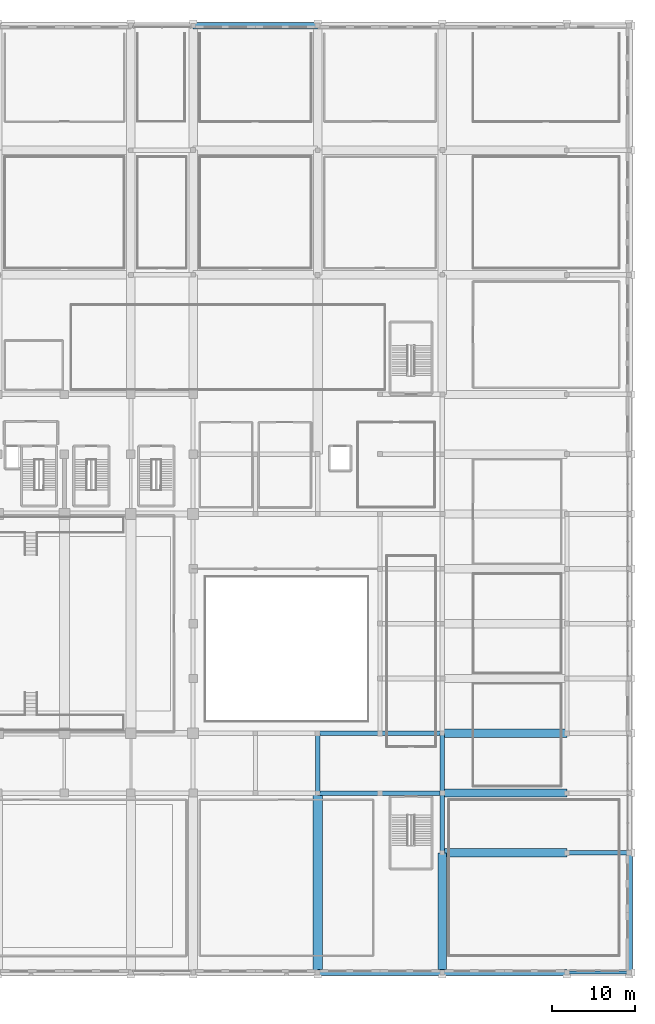
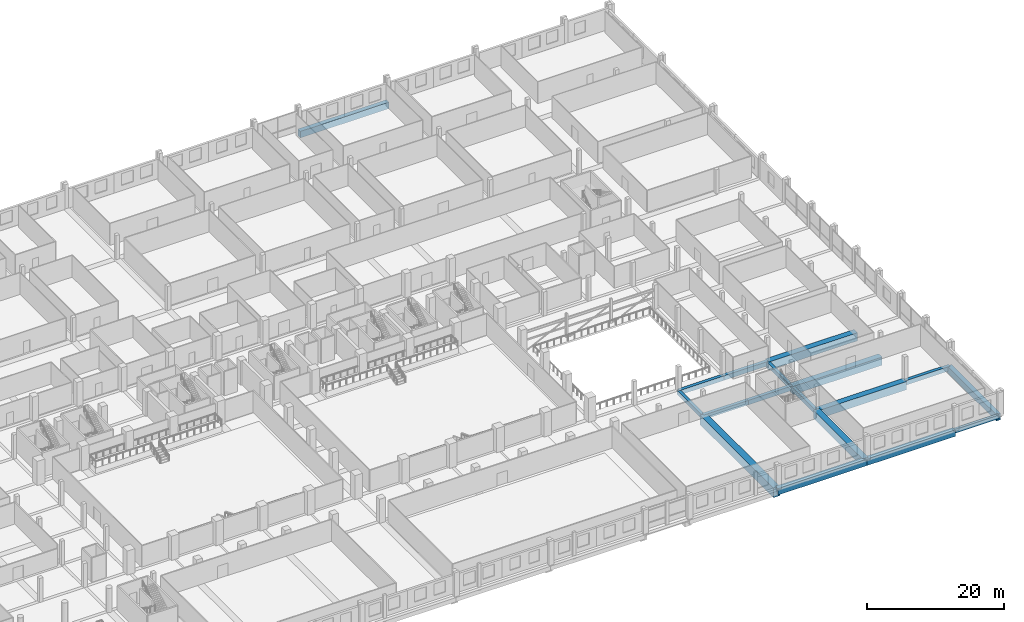
# One storey, part 33 of 68: 18 beams.
"""IFC4 building model written with IfcOpenShell, lengths in metres."""

from ifc_helpers import new_model, si_unit, direction, frame, origin, origin_2d, place, context, subcontext, project, spatial, rectangle, extrude, material, material_profile, profile_set, type_object, element, save


model = new_model("IFC4")

# Units and contexts
model_context = context("Model", 3, precision=1e-05, world=origin(), true_north=direction((0.0, 1.0)))
body_context = subcontext(model_context, "Body", "Model", "MODEL_VIEW")
ifc_project = project(units=[si_unit("LENGTHUNIT", "METRE"), si_unit("AREAUNIT", "SQUARE_METRE"), si_unit("VOLUMEUNIT", "CUBIC_METRE"), si_unit("PLANEANGLEUNIT", "RADIAN"), si_unit("MASSUNIT", "GRAM", prefix="KILO")], contexts=[model_context])

# Site, building, storey
site_placement = place(None, origin())
site = spatial("IfcSite", under=ifc_project, at=site_placement, CompositionType="ELEMENT")
building_placement = place(site_placement, origin())
building = spatial("IfcBuilding", under=site, at=building_placement, Name="Akrevak Sports Hall", CompositionType="ELEMENT")
storey_placement = place(building_placement, frame((0.0, 0.0, 9.39990234375)))
storey = spatial("IfcBuildingStorey", under=building, at=storey_placement, Name="L02", CompositionType="ELEMENT", Elevation=9.39990234375)

# Beams
ifc_material_1 = material(Name="Concrete C50/60", Category="concrete")
ifc_material_profile_1 = material_profile(ifc_material_1, rectangle(XDim=1.0, YDim=1.449951171875, at=origin_2d()), Name="BM 1000x1450", Category="concrete")
ifc_profile_set_1 = profile_set([ifc_material_profile_1], Name="Concrete C50/60")
beam_type_1 = type_object("IfcBeamType", Name="STR-BM-LG1000x1450", PredefinedType="BEAM", material=ifc_profile_set_1)
for number, where, z_axis, x_axis, name in (
    (1, (145.5, 14.39990234375, -0.724853515625), (1.0, 0.0, 0.0), (0.0, 1.0, 0.0), "Girder C/20-22 (L02)"),
    (2, (145.5, 21.60009765625, -0.724853515625), (1.0, 0.0, 0.0), (0.0, 1.0, 0.0), "Girder D/20-22 (L02)"),
    (3, (145.5, 28.800048828125, -0.724853515625), (1.0, 0.0, 0.0), (0.0, 1.0, 0.0), "Girder E/20-22 (L02)"),
):
    element("IfcBeam", number, at=place(storey_placement, frame(where, z_axis=z_axis, x_axis=x_axis)), inside=storey, type_object=beam_type_1, Name=name, PredefinedType="BEAM", context=body_context, shape_type="SweptSolid", body=[
        extrude(rectangle(XDim=1.0, YDim=1.449951171875, at=origin_2d()), origin(), (0.0, 0.0, 1.0), 15.0),
    ])
beam_1_placement = place(storey_placement, frame((145.5, 0.0, -0.724853515625), z_axis=(0.0, 1.0, 0.0), x_axis=(-1.0, 0.0, 0.0)))
element("IfcBeam", 4, at=beam_1_placement, inside=storey, type_object=beam_type_1, Name="Girder 20/A-C (L02)", PredefinedType="BEAM", context=body_context, shape_type="SweptSolid", body=[
    extrude(rectangle(XDim=1.0, YDim=1.449951171875, at=origin_2d()), origin(), (0.0, 0.0, 1.0), 14.39990234375),
])
ifc_material_profile_2 = material_profile(ifc_material_1, rectangle(XDim=1.10009765625, YDim=1.64990234375, at=origin_2d()), Name="BM 1100x1650", Category="concrete")
ifc_profile_set_2 = profile_set([ifc_material_profile_2], Name="Concrete C50/60")
beam_type_2 = type_object("IfcBeamType", Name="STR-BM-LG1100x1650", PredefinedType="BEAM", material=ifc_profile_set_2)
beam_2_placement = place(storey_placement, frame((130.5, 0.0, -0.824951171875), z_axis=(0.0, 1.0, 0.0), x_axis=(-1.0, 0.0, 0.0)))
element("IfcBeam", 5, at=beam_2_placement, inside=storey, type_object=beam_type_2, Name="Girder 18/A-D (L02)", PredefinedType="BEAM", context=body_context, shape_type="SweptSolid", body=[
    extrude(rectangle(XDim=1.10009765625, YDim=1.64990234375, at=origin_2d()), origin(), (0.0, 0.0, 1.0), 21.60009765625),
])
ifc_material_2 = material(Name="Concrete C40/50", Category="concrete")
ifc_material_profile_3 = material_profile(ifc_material_2, rectangle(XDim=0.5, YDim=0.75, at=origin_2d()), Name="BM 500x750", Category="concrete")
ifc_profile_set_3 = profile_set([ifc_material_profile_3], Name="Concrete C40/50")
beam_type_3 = type_object("IfcBeamType", Name="STR-BM-RC500x750", PredefinedType="BEAM", material=ifc_profile_set_3)
beam_3_placement = place(storey_placement, frame((130.5, 21.60009765625, -0.375), z_axis=(0.0, 1.0, 0.0), x_axis=(-1.0, 0.0, 0.0)))
element("IfcBeam", 6, at=beam_3_placement, inside=storey, type_object=beam_type_3, Name="Girder 18/D-E (L02)", PredefinedType="BEAM", context=body_context, shape_type="SweptSolid", body=[
    extrude(rectangle(XDim=0.5, YDim=0.75, at=origin_2d()), origin(), (0.0, 0.0, 1.0), 7.199951171875),
])
beam_4_placement = place(storey_placement, frame((145.5, 14.39990234375, -0.375), z_axis=(0.0, 1.0, 0.0), x_axis=(-1.0, 0.0, 0.0)))
element("IfcBeam", 7, at=beam_4_placement, inside=storey, type_object=beam_type_3, Name="Girder 20/C-D (L02)", PredefinedType="BEAM", context=body_context, shape_type="SweptSolid", body=[
    extrude(rectangle(XDim=0.5, YDim=0.75, at=origin_2d()), origin(), (0.0, 0.0, 1.0), 7.2001953125),
])
beam_5_placement = place(storey_placement, frame((145.5, 21.60009765625, -0.375), z_axis=(0.0, 1.0, 0.0), x_axis=(-1.0, 0.0, 0.0)))
element("IfcBeam", 8, at=beam_5_placement, inside=storey, type_object=beam_type_3, Name="Girder 20/D-E (L02)", PredefinedType="BEAM", context=body_context, shape_type="SweptSolid", body=[
    extrude(rectangle(XDim=0.5, YDim=0.75, at=origin_2d()), origin(), (0.0, 0.0, 1.0), 7.199951171875),
])
ifc_material_profile_4 = material_profile(ifc_material_2, rectangle(XDim=0.550048828125, YDim=0.800048828125, at=origin_2d()), Name="BM 550x800", Category="concrete")
ifc_profile_set_4 = profile_set([ifc_material_profile_4], Name="Concrete C40/50")
beam_type_4 = type_object("IfcBeamType", Name="STR-BM-RC550x800", PredefinedType="BEAM", material=ifc_profile_set_4)
for number, where, z_axis, x_axis, name in (
    (9, (160.5, 14.39990234375, -0.39990234375), (1.0, 0.0, 0.0), (0.0, 1.0, 0.0), "Girder C/22-23 (L02)"),
    (10, (130.5, 21.60009765625, -0.39990234375), (1.0, 0.0, 0.0), (0.0, 1.0, 0.0), "Girder D/18-19 (L02)"),
    (11, (138.0, 21.60009765625, -0.39990234375), (1.0, 0.0, 0.0), (0.0, 1.0, 0.0), "Girder D/19-20 (L02)"),
    (12, (130.5, 28.800048828125, -0.39990234375), (1.0, 0.0, 0.0), (0.0, 1.0, 0.0), "Girder E/18-19 (L02)"),
    (13, (138.0, 28.800048828125, -0.39990234375), (1.0, 0.0, 0.0), (0.0, 1.0, 0.0), "Girder E/19-20 (L02)"),
):
    element("IfcBeam", number, at=place(storey_placement, frame(where, z_axis=z_axis, x_axis=x_axis)), inside=storey, type_object=beam_type_4, Name=name, PredefinedType="BEAM", context=body_context, shape_type="SweptSolid", body=[
        extrude(rectangle(XDim=0.550048828125, YDim=0.800048828125, at=origin_2d()), origin(), (0.0, 0.0, 1.0), 7.5),
    ])
ifc_material_profile_5 = material_profile(ifc_material_1, rectangle(XDim=0.75, YDim=1.14990234375, at=origin_2d()), Name="SPD 750x1150", Category="concrete")
ifc_profile_set_5 = profile_set([ifc_material_profile_5], Name="Concrete C50/60")
beam_type_5 = type_object("IfcBeamType", Name="STR-SPD-LSP750x1150", PredefinedType="SPANDREL", material=ifc_profile_set_5)
for number, where, z_axis, x_axis, name in (
    (14, (130.5, 0.0, -0.574951171875), (1.0, 0.0, 0.0), (0.0, 1.0, 0.0), "Girder A/18-20 (L02)"),
    (15, (145.5, 0.0, -0.574951171875), (1.0, 0.0, 0.0), (0.0, 1.0, 0.0), "Girder A/20-22 (L02)"),
    (16, (115.5, 114.0, -0.574951171875), (1.0, 0.0, 0.0), (0.0, 1.0, 0.0), "Girder Q/16-18 (L02)"),
):
    element("IfcBeam", number, at=place(storey_placement, frame(where, z_axis=z_axis, x_axis=x_axis)), inside=storey, type_object=beam_type_5, Name=name, PredefinedType="SPANDREL", context=body_context, shape_type="SweptSolid", body=[
        extrude(rectangle(XDim=0.75, YDim=1.14990234375, at=origin_2d()), origin(), (0.0, 0.0, 1.0), 15.0),
    ])
beam_6_placement = place(storey_placement, frame((168.0, 0.0, -0.574951171875), z_axis=(0.0, 1.0, 0.0), x_axis=(-1.0, 0.0, 0.0)))
element("IfcBeam", 17, at=beam_6_placement, inside=storey, type_object=beam_type_5, Name="Girder 23/A-C (L02)", PredefinedType="SPANDREL", context=body_context, shape_type="SweptSolid", body=[
    extrude(rectangle(XDim=0.75, YDim=1.14990234375, at=origin_2d()), origin(), (0.0, 0.0, 1.0), 14.39990234375),
])
ifc_material_profile_6 = material_profile(ifc_material_2, rectangle(XDim=0.35009765625, YDim=0.75, at=origin_2d()), Name="SPD 350x750", Category="concrete")
ifc_profile_set_6 = profile_set([ifc_material_profile_6], Name="Concrete C40/50")
beam_type_6 = type_object("IfcBeamType", Name="STR-SPD-RC350x750", PredefinedType="SPANDREL", material=ifc_profile_set_6)
beam_7_placement = place(storey_placement, frame((160.5, 0.0, -0.375), z_axis=(1.0, 0.0, 0.0), x_axis=(0.0, 1.0, 0.0)))
element("IfcBeam", 18, at=beam_7_placement, inside=storey, type_object=beam_type_6, Name="Girder A/22-23 (L02)", PredefinedType="SPANDREL", context=body_context, shape_type="SweptSolid", body=[
    extrude(rectangle(XDim=0.35009765625, YDim=0.75, at=origin_2d()), origin(), (0.0, 0.0, 1.0), 7.5),
])

save(model, "model.ifc")
